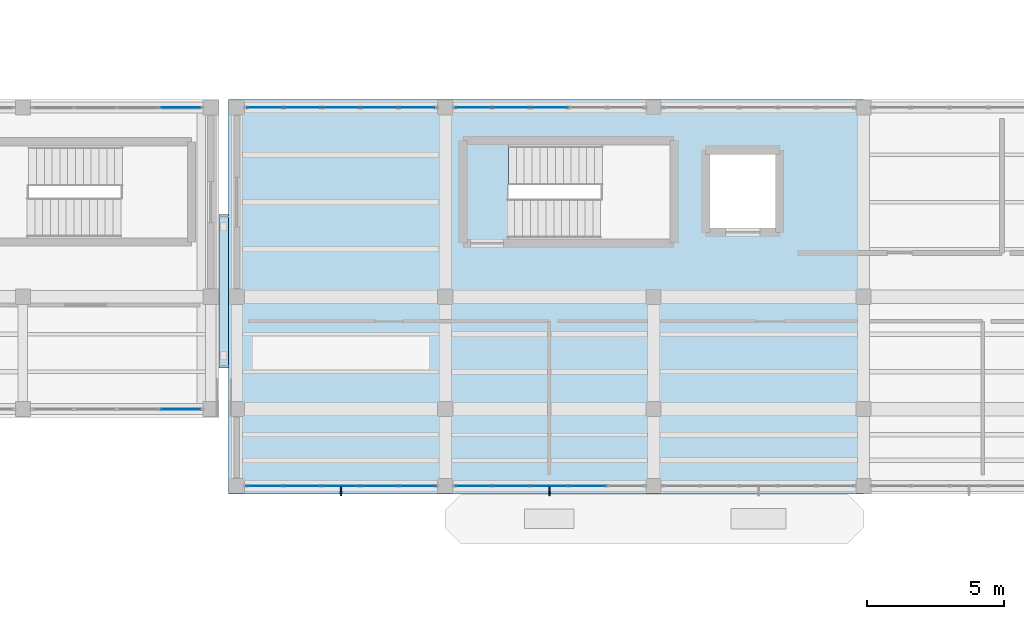
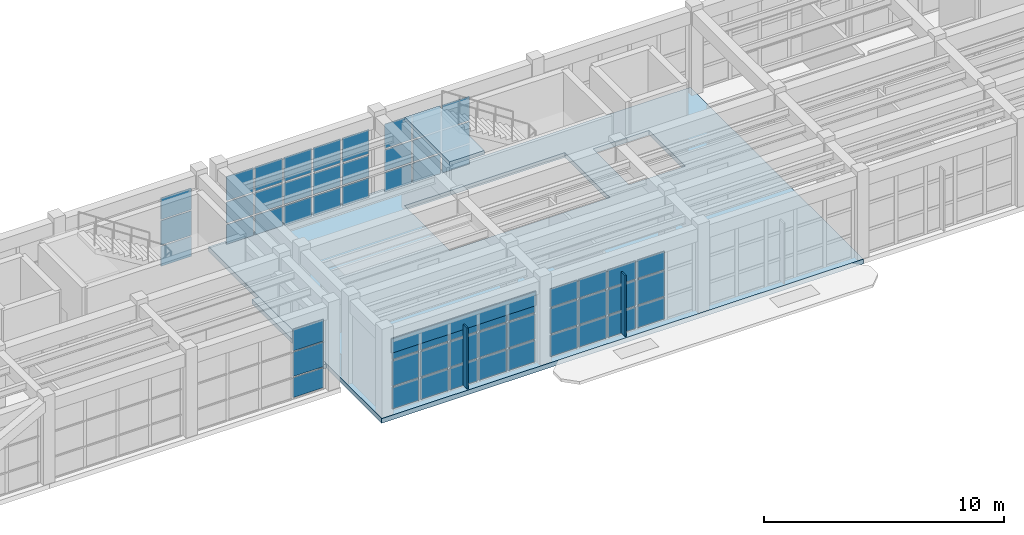
# One storey, part 55 of 85: 60 plates, 3 slabs, 7 elements without a shape of their own.
"""IFC4 building model written with IfcOpenShell, lengths in metres."""

from ifc_helpers import new_model, si_unit, direction, frame, origin, origin_2d, place, context, subcontext, project, spatial, polyline, rectangle, outline, extrude, material, layer, layer_set, type_object, element, aggregate, save


model = new_model("IFC4")

# Units and contexts
model_context = context("Model", 3, precision=1e-05, world=origin(), true_north=direction((0.0, 1.0)))
body_context = subcontext(model_context, "Body", "Model", "MODEL_VIEW")
ifc_project = project(units=[si_unit("LENGTHUNIT", "METRE"), si_unit("AREAUNIT", "SQUARE_METRE"), si_unit("VOLUMEUNIT", "CUBIC_METRE"), si_unit("PLANEANGLEUNIT", "RADIAN"), si_unit("MASSUNIT", "GRAM", prefix="KILO")], contexts=[model_context])

# Site, building, storey
site_placement = place(None, origin())
site = spatial("IfcSite", under=ifc_project, at=site_placement, CompositionType="ELEMENT")
building_placement = place(site_placement, origin())
building = spatial("IfcBuilding", under=site, at=building_placement, Name="Candilejo Ridge Gondola Terminal", CompositionType="ELEMENT")
storey_placement = place(building_placement, frame((0.0, 0.0, 4.5)))
storey = spatial("IfcBuildingStorey", under=building, at=storey_placement, Name="L01", CompositionType="ELEMENT", Elevation=4.5)

# Curtain wall, plates
ifc_material_1 = material(Name="Anodised aluminium AA 6063-T6", Category="aluminium")
ifc_layer_1 = layer(ifc_material_1, 0.169921875)
ifc_layer_set_1 = layer_set([ifc_layer_1], Name="ARC-CW-DRUM-3400-625X359")
curtain_wall_type_1 = type_object("IfcCurtainWallType", Name="ARC-CW-DRUM-3400-625X359", PredefinedType="NOTDEFINED", material=ifc_layer_set_1)
curtain_wall_1_placement = place(storey_placement, origin())
curtain_wall_1 = element("IfcCurtainWall", 1, at=curtain_wall_1_placement, inside=storey, type_object=curtain_wall_type_1, Name="Curtain wall V2 L01-044", PredefinedType="NOTDEFINED")
ifc_material_2 = material(Name="Low-E laminated double glazing 6+12A+6+1.52PVB+6 mm", Category="glass")
ifc_layer_2 = layer(ifc_material_2, 0.028076171875)
ifc_layer_set_2 = layer_set([ifc_layer_2], Name="ARC-CW-GLAZ-PANEL")
plate_type_1 = type_object("IfcPlateType", Name="ARC-CW-GLAZ-PANEL", PredefinedType="CURTAIN_PANEL", material=ifc_layer_set_2)
plate_1_placement = place(storey_placement, frame((84.952392578125, 36.699951171875, 0.06005859375), z_axis=(0.0, 0.0, 1.0), x_axis=(1.0, 0.0, 0.0)))
plate_1 = element("IfcPlate", 2, at=plate_1_placement, type_object=plate_type_1, Name="CW-62X35 panel 4.1", PredefinedType="CURTAIN_PANEL", context=body_context, shape_type="SweptSolid", body=[
    extrude(rectangle(XDim=1.465087890625, YDim=0.028076171875, at=origin_2d()), origin(), (0.0, 0.0, 1.0), 1.010009765625),
])
plate_2_placement = place(storey_placement, frame((84.952392578125, 36.699951171875, 1.1298828125), z_axis=(0.0, 0.0, 1.0), x_axis=(1.0, 0.0, 0.0)))
plate_2 = element("IfcPlate", 3, at=plate_2_placement, type_object=plate_type_1, Name="CW-62X35 panel 4.2", PredefinedType="CURTAIN_PANEL", context=body_context, shape_type="SweptSolid", body=[
    extrude(rectangle(XDim=1.465087890625, YDim=0.028076171875, at=origin_2d()), origin(), (0.0, 0.0, 1.0), 1.239990234375),
])
plate_3_placement = place(storey_placement, frame((84.952392578125, 36.699951171875, 2.429931640625), z_axis=(0.0, 0.0, 1.0), x_axis=(1.0, 0.0, 0.0)))
plate_3 = element("IfcPlate", 4, at=plate_3_placement, type_object=plate_type_1, Name="CW-62X35 panel 4.3", PredefinedType="CURTAIN_PANEL", context=body_context, shape_type="SweptSolid", body=[
    extrude(rectangle(XDim=1.465087890625, YDim=0.028076171875, at=origin_2d()), origin(), (0.0, 0.0, 1.0), 1.10009765625),
])
aggregate(curtain_wall_1, [plate_1, plate_2, plate_3])

curtain_wall_2_placement = place(storey_placement, origin())
curtain_wall_2 = element("IfcCurtainWall", 5, at=curtain_wall_2_placement, inside=storey, type_object=curtain_wall_type_1, Name="Curtain wall V2 L01-045", PredefinedType="NOTDEFINED")
plate_4_placement = place(storey_placement, frame((84.952392578125, 25.699951171875, 0.06005859375), z_axis=(0.0, 0.0, 1.0), x_axis=(1.0, 0.0, 0.0)))
plate_4 = element("IfcPlate", 6, at=plate_4_placement, type_object=plate_type_1, Name="CW-62X35 panel 4.1", PredefinedType="CURTAIN_PANEL", context=body_context, shape_type="SweptSolid", body=[
    extrude(rectangle(XDim=1.465087890625, YDim=0.028076171875, at=origin_2d()), origin(), (0.0, 0.0, 1.0), 1.010009765625),
])
plate_5_placement = place(storey_placement, frame((84.952392578125, 25.699951171875, 1.1298828125), z_axis=(0.0, 0.0, 1.0), x_axis=(1.0, 0.0, 0.0)))
plate_5 = element("IfcPlate", 7, at=plate_5_placement, type_object=plate_type_1, Name="CW-62X35 panel 4.2", PredefinedType="CURTAIN_PANEL", context=body_context, shape_type="SweptSolid", body=[
    extrude(rectangle(XDim=1.465087890625, YDim=0.028076171875, at=origin_2d()), origin(), (0.0, 0.0, 1.0), 1.239990234375),
])
plate_6_placement = place(storey_placement, frame((84.952392578125, 25.699951171875, 2.429931640625), z_axis=(0.0, 0.0, 1.0), x_axis=(1.0, 0.0, 0.0)))
plate_6 = element("IfcPlate", 8, at=plate_6_placement, type_object=plate_type_1, Name="CW-62X35 panel 4.3", PredefinedType="CURTAIN_PANEL", context=body_context, shape_type="SweptSolid", body=[
    extrude(rectangle(XDim=1.465087890625, YDim=0.028076171875, at=origin_2d()), origin(), (0.0, 0.0, 1.0), 1.10009765625),
])
aggregate(curtain_wall_2, [plate_4, plate_5, plate_6])

ifc_material_3 = material(Name="Anodised aluminium AA 6063-T6", Category="aluminium")
ifc_layer_3 = layer(ifc_material_3, 0.169921875)
ifc_layer_set_3 = layer_set([ifc_layer_3], Name="ARC-CW-GALLERY-3200-700X359")
curtain_wall_type_2 = type_object("IfcCurtainWallType", Name="ARC-CW-GALLERY-3200-700X359", PredefinedType="NOTDEFINED", material=ifc_layer_set_3)
curtain_wall_3_placement = place(storey_placement, origin())
curtain_wall_3 = element("IfcCurtainWall", 9, at=curtain_wall_3_placement, inside=storey, type_object=curtain_wall_type_2, Name="Curtain wall V3 L01-070", PredefinedType="NOTDEFINED")
plate_7_placement = place(storey_placement, frame((88.018798828125, 36.699951171875, 0.0751953125), z_axis=(0.0, 0.0, 1.0), x_axis=(1.0, 0.0, 0.0)))
plate_7 = element("IfcPlate", 10, at=plate_7_placement, type_object=plate_type_1, Name="CW-70X35 panel 1.1", PredefinedType="CURTAIN_PANEL", context=body_context, shape_type="SweptSolid", body=[
    extrude(rectangle(XDim=1.28759765625, YDim=0.028076171875, at=origin_2d()), origin(), (0.0, 0.0, 1.0), 0.987548828125),
])
plate_8_placement = place(storey_placement, frame((88.018798828125, 36.699951171875, 1.1376953125), z_axis=(0.0, 0.0, 1.0), x_axis=(1.0, 0.0, 0.0)))
plate_8 = element("IfcPlate", 11, at=plate_8_placement, type_object=plate_type_1, Name="CW-70X35 panel 1.2", PredefinedType="CURTAIN_PANEL", context=body_context, shape_type="SweptSolid", body=[
    extrude(rectangle(XDim=1.28759765625, YDim=0.028076171875, at=origin_2d()), origin(), (0.0, 0.0, 1.0), 1.074951171875),
])
plate_9_placement = place(storey_placement, frame((88.018798828125, 36.699951171875, 2.28759765625), z_axis=(0.0, 0.0, 1.0), x_axis=(1.0, 0.0, 0.0)))
plate_9 = element("IfcPlate", 12, at=plate_9_placement, type_object=plate_type_1, Name="CW-70X35 panel 1.3", PredefinedType="CURTAIN_PANEL", context=body_context, shape_type="SweptSolid", body=[
    extrude(rectangle(XDim=1.28759765625, YDim=0.028076171875, at=origin_2d()), origin(), (0.0, 0.0, 1.0), 1.2275390625),
])
plate_10_placement = place(storey_placement, frame((89.39990234375, 36.699951171875, 0.0751953125), z_axis=(0.0, 0.0, 1.0), x_axis=(1.0, 0.0, 0.0)))
plate_10 = element("IfcPlate", 13, at=plate_10_placement, type_object=plate_type_1, Name="CW-70X35 panel 2.1", PredefinedType="CURTAIN_PANEL", context=body_context, shape_type="SweptSolid", body=[
    extrude(rectangle(XDim=1.324951171875, YDim=0.028076171875, at=origin_2d()), origin(), (0.0, 0.0, 1.0), 0.987548828125),
])
plate_11_placement = place(storey_placement, frame((89.39990234375, 36.699951171875, 1.1376953125), z_axis=(0.0, 0.0, 1.0), x_axis=(1.0, 0.0, 0.0)))
plate_11 = element("IfcPlate", 14, at=plate_11_placement, type_object=plate_type_1, Name="CW-70X35 panel 2.2", PredefinedType="CURTAIN_PANEL", context=body_context, shape_type="SweptSolid", body=[
    extrude(rectangle(XDim=1.324951171875, YDim=0.028076171875, at=origin_2d()), origin(), (0.0, 0.0, 1.0), 1.074951171875),
])
plate_12_placement = place(storey_placement, frame((89.39990234375, 36.699951171875, 2.28759765625), z_axis=(0.0, 0.0, 1.0), x_axis=(1.0, 0.0, 0.0)))
plate_12 = element("IfcPlate", 15, at=plate_12_placement, type_object=plate_type_1, Name="CW-70X35 panel 2.3", PredefinedType="CURTAIN_PANEL", context=body_context, shape_type="SweptSolid", body=[
    extrude(rectangle(XDim=1.324951171875, YDim=0.028076171875, at=origin_2d()), origin(), (0.0, 0.0, 1.0), 1.2275390625),
])
plate_13_placement = place(storey_placement, frame((90.800048828125, 36.699951171875, 0.0751953125), z_axis=(0.0, 0.0, 1.0), x_axis=(1.0, 0.0, 0.0)))
plate_13 = element("IfcPlate", 16, at=plate_13_placement, type_object=plate_type_1, Name="CW-70X35 panel 3.1", PredefinedType="CURTAIN_PANEL", context=body_context, shape_type="SweptSolid", body=[
    extrude(rectangle(XDim=1.324951171875, YDim=0.028076171875, at=origin_2d()), origin(), (0.0, 0.0, 1.0), 0.987548828125),
])
plate_14_placement = place(storey_placement, frame((90.800048828125, 36.699951171875, 1.1376953125), z_axis=(0.0, 0.0, 1.0), x_axis=(1.0, 0.0, 0.0)))
plate_14 = element("IfcPlate", 17, at=plate_14_placement, type_object=plate_type_1, Name="CW-70X35 panel 3.2", PredefinedType="CURTAIN_PANEL", context=body_context, shape_type="SweptSolid", body=[
    extrude(rectangle(XDim=1.324951171875, YDim=0.028076171875, at=origin_2d()), origin(), (0.0, 0.0, 1.0), 1.074951171875),
])
plate_15_placement = place(storey_placement, frame((90.800048828125, 36.699951171875, 2.28759765625), z_axis=(0.0, 0.0, 1.0), x_axis=(1.0, 0.0, 0.0)))
plate_15 = element("IfcPlate", 18, at=plate_15_placement, type_object=plate_type_1, Name="CW-70X35 panel 3.3", PredefinedType="CURTAIN_PANEL", context=body_context, shape_type="SweptSolid", body=[
    extrude(rectangle(XDim=1.324951171875, YDim=0.028076171875, at=origin_2d()), origin(), (0.0, 0.0, 1.0), 1.2275390625),
])
plate_16_placement = place(storey_placement, frame((92.199951171875, 36.699951171875, 0.0751953125), z_axis=(0.0, 0.0, 1.0), x_axis=(1.0, 0.0, 0.0)))
plate_16 = element("IfcPlate", 19, at=plate_16_placement, type_object=plate_type_1, Name="CW-70X35 panel 4.1", PredefinedType="CURTAIN_PANEL", context=body_context, shape_type="SweptSolid", body=[
    extrude(rectangle(XDim=1.324951171875, YDim=0.028076171875, at=origin_2d()), origin(), (0.0, 0.0, 1.0), 0.987548828125),
])
plate_17_placement = place(storey_placement, frame((92.199951171875, 36.699951171875, 1.1376953125), z_axis=(0.0, 0.0, 1.0), x_axis=(1.0, 0.0, 0.0)))
plate_17 = element("IfcPlate", 20, at=plate_17_placement, type_object=plate_type_1, Name="CW-70X35 panel 4.2", PredefinedType="CURTAIN_PANEL", context=body_context, shape_type="SweptSolid", body=[
    extrude(rectangle(XDim=1.324951171875, YDim=0.028076171875, at=origin_2d()), origin(), (0.0, 0.0, 1.0), 1.074951171875),
])
plate_18_placement = place(storey_placement, frame((92.199951171875, 36.699951171875, 2.28759765625), z_axis=(0.0, 0.0, 1.0), x_axis=(1.0, 0.0, 0.0)))
plate_18 = element("IfcPlate", 21, at=plate_18_placement, type_object=plate_type_1, Name="CW-70X35 panel 4.3", PredefinedType="CURTAIN_PANEL", context=body_context, shape_type="SweptSolid", body=[
    extrude(rectangle(XDim=1.324951171875, YDim=0.028076171875, at=origin_2d()), origin(), (0.0, 0.0, 1.0), 1.2275390625),
])
plate_19_placement = place(storey_placement, frame((93.581298828125, 36.699951171875, 0.0751953125), z_axis=(0.0, 0.0, 1.0), x_axis=(1.0, 0.0, 0.0)))
plate_19 = element("IfcPlate", 22, at=plate_19_placement, type_object=plate_type_1, Name="CW-70X35 panel 5.1", PredefinedType="CURTAIN_PANEL", context=body_context, shape_type="SweptSolid", body=[
    extrude(rectangle(XDim=1.28759765625, YDim=0.028076171875, at=origin_2d()), origin(), (0.0, 0.0, 1.0), 0.987548828125),
])
plate_20_placement = place(storey_placement, frame((93.581298828125, 36.699951171875, 1.1376953125), z_axis=(0.0, 0.0, 1.0), x_axis=(1.0, 0.0, 0.0)))
plate_20 = element("IfcPlate", 23, at=plate_20_placement, type_object=plate_type_1, Name="CW-70X35 panel 5.2", PredefinedType="CURTAIN_PANEL", context=body_context, shape_type="SweptSolid", body=[
    extrude(rectangle(XDim=1.28759765625, YDim=0.028076171875, at=origin_2d()), origin(), (0.0, 0.0, 1.0), 1.074951171875),
])
plate_21_placement = place(storey_placement, frame((93.581298828125, 36.699951171875, 2.28759765625), z_axis=(0.0, 0.0, 1.0), x_axis=(1.0, 0.0, 0.0)))
plate_21 = element("IfcPlate", 24, at=plate_21_placement, type_object=plate_type_1, Name="CW-70X35 panel 5.3", PredefinedType="CURTAIN_PANEL", context=body_context, shape_type="SweptSolid", body=[
    extrude(rectangle(XDim=1.28759765625, YDim=0.028076171875, at=origin_2d()), origin(), (0.0, 0.0, 1.0), 1.2275390625),
])
aggregate(curtain_wall_3, [plate_7, plate_8, plate_9, plate_10, plate_11, plate_12, plate_13, plate_14, plate_15, plate_16, plate_17, plate_18, plate_19, plate_20, plate_21])

ifc_material_4 = material(Name="Anodised aluminium AA 6063-T6", Category="aluminium")
ifc_layer_4 = layer(ifc_material_4, 0.169921875)
ifc_layer_set_4 = layer_set([ifc_layer_4], Name="ARC-CW-CONCOURSE-3600-700X359")
curtain_wall_type_3 = type_object("IfcCurtainWallType", Name="ARC-CW-CONCOURSE-3600-700X359", PredefinedType="NOTDEFINED", material=ifc_layer_set_4)
curtain_wall_4_placement = place(storey_placement, origin())
curtain_wall_4 = element("IfcCurtainWall", 25, at=curtain_wall_4_placement, inside=storey, type_object=curtain_wall_type_3, Name="Curtain wall V3 L01-071", PredefinedType="NOTDEFINED")
plate_22_placement = place(storey_placement, frame((88.018798828125, 22.89990234375, 0.074951171875), z_axis=(0.0, 0.0, 1.0), x_axis=(1.0, 0.0, 0.0)))
plate_22 = element("IfcPlate", 26, at=plate_22_placement, type_object=plate_type_1, Name="CW-70X35 panel 1.1", PredefinedType="CURTAIN_PANEL", context=body_context, shape_type="SweptSolid", body=[
    extrude(rectangle(XDim=1.28759765625, YDim=0.028076171875, at=origin_2d()), origin(), (0.0, 0.0, 1.0), 1.08740234375),
])
plate_23_placement = place(storey_placement, frame((88.018798828125, 22.89990234375, 1.237548828125), z_axis=(0.0, 0.0, 1.0), x_axis=(1.0, 0.0, 0.0)))
plate_23 = element("IfcPlate", 27, at=plate_23_placement, type_object=plate_type_1, Name="CW-70X35 panel 1.2", PredefinedType="CURTAIN_PANEL", context=body_context, shape_type="SweptSolid", body=[
    extrude(rectangle(XDim=1.28759765625, YDim=0.028076171875, at=origin_2d()), origin(), (0.0, 0.0, 1.0), 1.27490234375),
])
plate_24_placement = place(storey_placement, frame((88.018798828125, 22.89990234375, 2.58740234375), z_axis=(0.0, 0.0, 1.0), x_axis=(1.0, 0.0, 0.0)))
plate_24 = element("IfcPlate", 28, at=plate_24_placement, type_object=plate_type_1, Name="CW-70X35 panel 1.3", PredefinedType="CURTAIN_PANEL", context=body_context, shape_type="SweptSolid", body=[
    extrude(rectangle(XDim=1.28759765625, YDim=0.028076171875, at=origin_2d()), origin(), (0.0, 0.0, 1.0), 0.927490234375),
])
plate_25_placement = place(storey_placement, frame((89.39990234375, 22.89990234375, 0.074951171875), z_axis=(0.0, 0.0, 1.0), x_axis=(1.0, 0.0, 0.0)))
plate_25 = element("IfcPlate", 29, at=plate_25_placement, type_object=plate_type_1, Name="CW-70X35 panel 2.1", PredefinedType="CURTAIN_PANEL", context=body_context, shape_type="SweptSolid", body=[
    extrude(rectangle(XDim=1.324951171875, YDim=0.028076171875, at=origin_2d()), origin(), (0.0, 0.0, 1.0), 1.08740234375),
])
plate_26_placement = place(storey_placement, frame((89.39990234375, 22.89990234375, 1.237548828125), z_axis=(0.0, 0.0, 1.0), x_axis=(1.0, 0.0, 0.0)))
plate_26 = element("IfcPlate", 30, at=plate_26_placement, type_object=plate_type_1, Name="CW-70X35 panel 2.2", PredefinedType="CURTAIN_PANEL", context=body_context, shape_type="SweptSolid", body=[
    extrude(rectangle(XDim=1.324951171875, YDim=0.028076171875, at=origin_2d()), origin(), (0.0, 0.0, 1.0), 1.27490234375),
])
plate_27_placement = place(storey_placement, frame((89.39990234375, 22.89990234375, 2.58740234375), z_axis=(0.0, 0.0, 1.0), x_axis=(1.0, 0.0, 0.0)))
plate_27 = element("IfcPlate", 31, at=plate_27_placement, type_object=plate_type_1, Name="CW-70X35 panel 2.3", PredefinedType="CURTAIN_PANEL", context=body_context, shape_type="SweptSolid", body=[
    extrude(rectangle(XDim=1.324951171875, YDim=0.028076171875, at=origin_2d()), origin(), (0.0, 0.0, 1.0), 0.927490234375),
])
plate_28_placement = place(storey_placement, frame((90.800048828125, 22.89990234375, 0.074951171875), z_axis=(0.0, 0.0, 1.0), x_axis=(1.0, 0.0, 0.0)))
plate_28 = element("IfcPlate", 32, at=plate_28_placement, type_object=plate_type_1, Name="CW-70X35 panel 3.1", PredefinedType="CURTAIN_PANEL", context=body_context, shape_type="SweptSolid", body=[
    extrude(rectangle(XDim=1.324951171875, YDim=0.028076171875, at=origin_2d()), origin(), (0.0, 0.0, 1.0), 1.08740234375),
])
plate_29_placement = place(storey_placement, frame((90.800048828125, 22.89990234375, 1.237548828125), z_axis=(0.0, 0.0, 1.0), x_axis=(1.0, 0.0, 0.0)))
plate_29 = element("IfcPlate", 33, at=plate_29_placement, type_object=plate_type_1, Name="CW-70X35 panel 3.2", PredefinedType="CURTAIN_PANEL", context=body_context, shape_type="SweptSolid", body=[
    extrude(rectangle(XDim=1.324951171875, YDim=0.028076171875, at=origin_2d()), origin(), (0.0, 0.0, 1.0), 1.27490234375),
])
plate_30_placement = place(storey_placement, frame((90.800048828125, 22.89990234375, 2.58740234375), z_axis=(0.0, 0.0, 1.0), x_axis=(1.0, 0.0, 0.0)))
plate_30 = element("IfcPlate", 34, at=plate_30_placement, type_object=plate_type_1, Name="CW-70X35 panel 3.3", PredefinedType="CURTAIN_PANEL", context=body_context, shape_type="SweptSolid", body=[
    extrude(rectangle(XDim=1.324951171875, YDim=0.028076171875, at=origin_2d()), origin(), (0.0, 0.0, 1.0), 0.927490234375),
])
plate_31_placement = place(storey_placement, frame((92.199951171875, 22.89990234375, 0.074951171875), z_axis=(0.0, 0.0, 1.0), x_axis=(1.0, 0.0, 0.0)))
plate_31 = element("IfcPlate", 35, at=plate_31_placement, type_object=plate_type_1, Name="CW-70X35 panel 4.1", PredefinedType="CURTAIN_PANEL", context=body_context, shape_type="SweptSolid", body=[
    extrude(rectangle(XDim=1.324951171875, YDim=0.028076171875, at=origin_2d()), origin(), (0.0, 0.0, 1.0), 1.08740234375),
])
plate_32_placement = place(storey_placement, frame((92.199951171875, 22.89990234375, 1.237548828125), z_axis=(0.0, 0.0, 1.0), x_axis=(1.0, 0.0, 0.0)))
plate_32 = element("IfcPlate", 36, at=plate_32_placement, type_object=plate_type_1, Name="CW-70X35 panel 4.2", PredefinedType="CURTAIN_PANEL", context=body_context, shape_type="SweptSolid", body=[
    extrude(rectangle(XDim=1.324951171875, YDim=0.028076171875, at=origin_2d()), origin(), (0.0, 0.0, 1.0), 1.27490234375),
])
plate_33_placement = place(storey_placement, frame((92.199951171875, 22.89990234375, 2.58740234375), z_axis=(0.0, 0.0, 1.0), x_axis=(1.0, 0.0, 0.0)))
plate_33 = element("IfcPlate", 37, at=plate_33_placement, type_object=plate_type_1, Name="CW-70X35 panel 4.3", PredefinedType="CURTAIN_PANEL", context=body_context, shape_type="SweptSolid", body=[
    extrude(rectangle(XDim=1.324951171875, YDim=0.028076171875, at=origin_2d()), origin(), (0.0, 0.0, 1.0), 0.927490234375),
])
plate_34_placement = place(storey_placement, frame((93.581298828125, 22.89990234375, 0.074951171875), z_axis=(0.0, 0.0, 1.0), x_axis=(1.0, 0.0, 0.0)))
plate_34 = element("IfcPlate", 38, at=plate_34_placement, type_object=plate_type_1, Name="CW-70X35 panel 5.1", PredefinedType="CURTAIN_PANEL", context=body_context, shape_type="SweptSolid", body=[
    extrude(rectangle(XDim=1.28759765625, YDim=0.028076171875, at=origin_2d()), origin(), (0.0, 0.0, 1.0), 1.08740234375),
])
plate_35_placement = place(storey_placement, frame((93.581298828125, 22.89990234375, 1.237548828125), z_axis=(0.0, 0.0, 1.0), x_axis=(1.0, 0.0, 0.0)))
plate_35 = element("IfcPlate", 39, at=plate_35_placement, type_object=plate_type_1, Name="CW-70X35 panel 5.2", PredefinedType="CURTAIN_PANEL", context=body_context, shape_type="SweptSolid", body=[
    extrude(rectangle(XDim=1.28759765625, YDim=0.028076171875, at=origin_2d()), origin(), (0.0, 0.0, 1.0), 1.27490234375),
])
plate_36_placement = place(storey_placement, frame((93.581298828125, 22.89990234375, 2.58740234375), z_axis=(0.0, 0.0, 1.0), x_axis=(1.0, 0.0, 0.0)))
plate_36 = element("IfcPlate", 40, at=plate_36_placement, type_object=plate_type_1, Name="CW-70X35 panel 5.3", PredefinedType="CURTAIN_PANEL", context=body_context, shape_type="SweptSolid", body=[
    extrude(rectangle(XDim=1.28759765625, YDim=0.028076171875, at=origin_2d()), origin(), (0.0, 0.0, 1.0), 0.927490234375),
])
aggregate(curtain_wall_4, [plate_22, plate_23, plate_24, plate_25, plate_26, plate_27, plate_28, plate_29, plate_30, plate_31, plate_32, plate_33, plate_34, plate_35, plate_36])

curtain_wall_5_placement = place(storey_placement, origin())
curtain_wall_5 = element("IfcCurtainWall", 41, at=curtain_wall_5_placement, inside=storey, type_object=curtain_wall_type_2, Name="Curtain wall V3 L01-072", PredefinedType="NOTDEFINED")
plate_37_placement = place(storey_placement, frame((95.61865234375, 36.699951171875, 0.0751953125), z_axis=(0.0, 0.0, 1.0), x_axis=(1.0, 0.0, 0.0)))
plate_37 = element("IfcPlate", 42, at=plate_37_placement, type_object=plate_type_1, Name="CW-70X35 panel 1.1", PredefinedType="CURTAIN_PANEL", context=body_context, shape_type="SweptSolid", body=[
    extrude(rectangle(XDim=1.28759765625, YDim=0.028076171875, at=origin_2d()), origin(), (0.0, 0.0, 1.0), 0.987548828125),
])
plate_38_placement = place(storey_placement, frame((95.61865234375, 36.699951171875, 1.1376953125), z_axis=(0.0, 0.0, 1.0), x_axis=(1.0, 0.0, 0.0)))
plate_38 = element("IfcPlate", 43, at=plate_38_placement, type_object=plate_type_1, Name="CW-70X35 panel 1.2", PredefinedType="CURTAIN_PANEL", context=body_context, shape_type="SweptSolid", body=[
    extrude(rectangle(XDim=1.28759765625, YDim=0.028076171875, at=origin_2d()), origin(), (0.0, 0.0, 1.0), 1.074951171875),
])
plate_39_placement = place(storey_placement, frame((95.61865234375, 36.699951171875, 2.28759765625), z_axis=(0.0, 0.0, 1.0), x_axis=(1.0, 0.0, 0.0)))
plate_39 = element("IfcPlate", 44, at=plate_39_placement, type_object=plate_type_1, Name="CW-70X35 panel 1.3", PredefinedType="CURTAIN_PANEL", context=body_context, shape_type="SweptSolid", body=[
    extrude(rectangle(XDim=1.28759765625, YDim=0.028076171875, at=origin_2d()), origin(), (0.0, 0.0, 1.0), 1.2275390625),
])
plate_40_placement = place(storey_placement, frame((97.0, 36.699951171875, 0.0751953125), z_axis=(0.0, 0.0, 1.0), x_axis=(1.0, 0.0, 0.0)))
plate_40 = element("IfcPlate", 45, at=plate_40_placement, type_object=plate_type_1, Name="CW-70X35 panel 2.1", PredefinedType="CURTAIN_PANEL", context=body_context, shape_type="SweptSolid", body=[
    extrude(rectangle(XDim=1.324951171875, YDim=0.028076171875, at=origin_2d()), origin(), (0.0, 0.0, 1.0), 0.987548828125),
])
plate_41_placement = place(storey_placement, frame((97.0, 36.699951171875, 1.1376953125), z_axis=(0.0, 0.0, 1.0), x_axis=(1.0, 0.0, 0.0)))
plate_41 = element("IfcPlate", 46, at=plate_41_placement, type_object=plate_type_1, Name="CW-70X35 panel 2.2", PredefinedType="CURTAIN_PANEL", context=body_context, shape_type="SweptSolid", body=[
    extrude(rectangle(XDim=1.324951171875, YDim=0.028076171875, at=origin_2d()), origin(), (0.0, 0.0, 1.0), 1.074951171875),
])
plate_42_placement = place(storey_placement, frame((97.0, 36.699951171875, 2.28759765625), z_axis=(0.0, 0.0, 1.0), x_axis=(1.0, 0.0, 0.0)))
plate_42 = element("IfcPlate", 47, at=plate_42_placement, type_object=plate_type_1, Name="CW-70X35 panel 2.3", PredefinedType="CURTAIN_PANEL", context=body_context, shape_type="SweptSolid", body=[
    extrude(rectangle(XDim=1.324951171875, YDim=0.028076171875, at=origin_2d()), origin(), (0.0, 0.0, 1.0), 1.2275390625),
])
plate_43_placement = place(storey_placement, frame((98.39990234375, 36.699951171875, 0.0751953125), z_axis=(0.0, 0.0, 1.0), x_axis=(1.0, 0.0, 0.0)))
plate_43 = element("IfcPlate", 48, at=plate_43_placement, type_object=plate_type_1, Name="CW-70X35 panel 3.1", PredefinedType="CURTAIN_PANEL", context=body_context, shape_type="SweptSolid", body=[
    extrude(rectangle(XDim=1.324951171875, YDim=0.028076171875, at=origin_2d()), origin(), (0.0, 0.0, 1.0), 0.987548828125),
])
plate_44_placement = place(storey_placement, frame((98.39990234375, 36.699951171875, 1.1376953125), z_axis=(0.0, 0.0, 1.0), x_axis=(1.0, 0.0, 0.0)))
plate_44 = element("IfcPlate", 49, at=plate_44_placement, type_object=plate_type_1, Name="CW-70X35 panel 3.2", PredefinedType="CURTAIN_PANEL", context=body_context, shape_type="SweptSolid", body=[
    extrude(rectangle(XDim=1.324951171875, YDim=0.028076171875, at=origin_2d()), origin(), (0.0, 0.0, 1.0), 1.074951171875),
])
plate_45_placement = place(storey_placement, frame((98.39990234375, 36.699951171875, 2.28759765625), z_axis=(0.0, 0.0, 1.0), x_axis=(1.0, 0.0, 0.0)))
plate_45 = element("IfcPlate", 50, at=plate_45_placement, type_object=plate_type_1, Name="CW-70X35 panel 3.3", PredefinedType="CURTAIN_PANEL", context=body_context, shape_type="SweptSolid", body=[
    extrude(rectangle(XDim=1.324951171875, YDim=0.028076171875, at=origin_2d()), origin(), (0.0, 0.0, 1.0), 1.2275390625),
])
aggregate(curtain_wall_5, [plate_37, plate_38, plate_39, plate_40, plate_41, plate_42, plate_43, plate_44, plate_45])

curtain_wall_6_placement = place(storey_placement, origin())
curtain_wall_6 = element("IfcCurtainWall", 51, at=curtain_wall_6_placement, inside=storey, type_object=curtain_wall_type_3, Name="Curtain wall V3 L01-073", PredefinedType="NOTDEFINED")
plate_46_placement = place(storey_placement, frame((95.61865234375, 22.89990234375, 0.074951171875), z_axis=(0.0, 0.0, 1.0), x_axis=(1.0, 0.0, 0.0)))
plate_46 = element("IfcPlate", 52, at=plate_46_placement, type_object=plate_type_1, Name="CW-70X35 panel 1.1", PredefinedType="CURTAIN_PANEL", context=body_context, shape_type="SweptSolid", body=[
    extrude(rectangle(XDim=1.28759765625, YDim=0.028076171875, at=origin_2d()), origin(), (0.0, 0.0, 1.0), 1.08740234375),
])
plate_47_placement = place(storey_placement, frame((95.61865234375, 22.89990234375, 1.237548828125), z_axis=(0.0, 0.0, 1.0), x_axis=(1.0, 0.0, 0.0)))
plate_47 = element("IfcPlate", 53, at=plate_47_placement, type_object=plate_type_1, Name="CW-70X35 panel 1.2", PredefinedType="CURTAIN_PANEL", context=body_context, shape_type="SweptSolid", body=[
    extrude(rectangle(XDim=1.28759765625, YDim=0.028076171875, at=origin_2d()), origin(), (0.0, 0.0, 1.0), 1.27490234375),
])
plate_48_placement = place(storey_placement, frame((95.61865234375, 22.89990234375, 2.58740234375), z_axis=(0.0, 0.0, 1.0), x_axis=(1.0, 0.0, 0.0)))
plate_48 = element("IfcPlate", 54, at=plate_48_placement, type_object=plate_type_1, Name="CW-70X35 panel 1.3", PredefinedType="CURTAIN_PANEL", context=body_context, shape_type="SweptSolid", body=[
    extrude(rectangle(XDim=1.28759765625, YDim=0.028076171875, at=origin_2d()), origin(), (0.0, 0.0, 1.0), 0.927490234375),
])
plate_49_placement = place(storey_placement, frame((97.0, 22.89990234375, 0.074951171875), z_axis=(0.0, 0.0, 1.0), x_axis=(1.0, 0.0, 0.0)))
plate_49 = element("IfcPlate", 55, at=plate_49_placement, type_object=plate_type_1, Name="CW-70X35 panel 2.1", PredefinedType="CURTAIN_PANEL", context=body_context, shape_type="SweptSolid", body=[
    extrude(rectangle(XDim=1.324951171875, YDim=0.028076171875, at=origin_2d()), origin(), (0.0, 0.0, 1.0), 1.08740234375),
])
plate_50_placement = place(storey_placement, frame((97.0, 22.89990234375, 1.237548828125), z_axis=(0.0, 0.0, 1.0), x_axis=(1.0, 0.0, 0.0)))
plate_50 = element("IfcPlate", 56, at=plate_50_placement, type_object=plate_type_1, Name="CW-70X35 panel 2.2", PredefinedType="CURTAIN_PANEL", context=body_context, shape_type="SweptSolid", body=[
    extrude(rectangle(XDim=1.324951171875, YDim=0.028076171875, at=origin_2d()), origin(), (0.0, 0.0, 1.0), 1.27490234375),
])
plate_51_placement = place(storey_placement, frame((97.0, 22.89990234375, 2.58740234375), z_axis=(0.0, 0.0, 1.0), x_axis=(1.0, 0.0, 0.0)))
plate_51 = element("IfcPlate", 57, at=plate_51_placement, type_object=plate_type_1, Name="CW-70X35 panel 2.3", PredefinedType="CURTAIN_PANEL", context=body_context, shape_type="SweptSolid", body=[
    extrude(rectangle(XDim=1.324951171875, YDim=0.028076171875, at=origin_2d()), origin(), (0.0, 0.0, 1.0), 0.927490234375),
])
plate_52_placement = place(storey_placement, frame((98.39990234375, 22.89990234375, 0.074951171875), z_axis=(0.0, 0.0, 1.0), x_axis=(1.0, 0.0, 0.0)))
plate_52 = element("IfcPlate", 58, at=plate_52_placement, type_object=plate_type_1, Name="CW-70X35 panel 3.1", PredefinedType="CURTAIN_PANEL", context=body_context, shape_type="SweptSolid", body=[
    extrude(rectangle(XDim=1.324951171875, YDim=0.028076171875, at=origin_2d()), origin(), (0.0, 0.0, 1.0), 1.08740234375),
])
plate_53_placement = place(storey_placement, frame((98.39990234375, 22.89990234375, 1.237548828125), z_axis=(0.0, 0.0, 1.0), x_axis=(1.0, 0.0, 0.0)))
plate_53 = element("IfcPlate", 59, at=plate_53_placement, type_object=plate_type_1, Name="CW-70X35 panel 3.2", PredefinedType="CURTAIN_PANEL", context=body_context, shape_type="SweptSolid", body=[
    extrude(rectangle(XDim=1.324951171875, YDim=0.028076171875, at=origin_2d()), origin(), (0.0, 0.0, 1.0), 1.27490234375),
])
plate_54_placement = place(storey_placement, frame((98.39990234375, 22.89990234375, 2.58740234375), z_axis=(0.0, 0.0, 1.0), x_axis=(1.0, 0.0, 0.0)))
plate_54 = element("IfcPlate", 60, at=plate_54_placement, type_object=plate_type_1, Name="CW-70X35 panel 3.3", PredefinedType="CURTAIN_PANEL", context=body_context, shape_type="SweptSolid", body=[
    extrude(rectangle(XDim=1.324951171875, YDim=0.028076171875, at=origin_2d()), origin(), (0.0, 0.0, 1.0), 0.927490234375),
])
plate_55_placement = place(storey_placement, frame((99.800048828125, 22.89990234375, 0.074951171875), z_axis=(0.0, 0.0, 1.0), x_axis=(1.0, 0.0, 0.0)))
plate_55 = element("IfcPlate", 61, at=plate_55_placement, type_object=plate_type_1, Name="CW-70X35 panel 4.1", PredefinedType="CURTAIN_PANEL", context=body_context, shape_type="SweptSolid", body=[
    extrude(rectangle(XDim=1.324951171875, YDim=0.028076171875, at=origin_2d()), origin(), (0.0, 0.0, 1.0), 1.08740234375),
])
plate_56_placement = place(storey_placement, frame((99.800048828125, 22.89990234375, 1.237548828125), z_axis=(0.0, 0.0, 1.0), x_axis=(1.0, 0.0, 0.0)))
plate_56 = element("IfcPlate", 62, at=plate_56_placement, type_object=plate_type_1, Name="CW-70X35 panel 4.2", PredefinedType="CURTAIN_PANEL", context=body_context, shape_type="SweptSolid", body=[
    extrude(rectangle(XDim=1.324951171875, YDim=0.028076171875, at=origin_2d()), origin(), (0.0, 0.0, 1.0), 1.27490234375),
])
plate_57_placement = place(storey_placement, frame((99.800048828125, 22.89990234375, 2.58740234375), z_axis=(0.0, 0.0, 1.0), x_axis=(1.0, 0.0, 0.0)))
plate_57 = element("IfcPlate", 63, at=plate_57_placement, type_object=plate_type_1, Name="CW-70X35 panel 4.3", PredefinedType="CURTAIN_PANEL", context=body_context, shape_type="SweptSolid", body=[
    extrude(rectangle(XDim=1.324951171875, YDim=0.028076171875, at=origin_2d()), origin(), (0.0, 0.0, 1.0), 0.927490234375),
])
aggregate(curtain_wall_6, [plate_46, plate_47, plate_48, plate_49, plate_50, plate_51, plate_52, plate_53, plate_54, plate_55, plate_56, plate_57])

# Plates
ifc_material_5 = material(Name="Extruded architectural terracotta fin", Category="masonry")
plate_type_2 = type_object("IfcPlateType", Name="ARC-SOLAR-FIN-340", PredefinedType="USERDEFINED", material=ifc_material_5)
for number, where, z_axis, x_axis, name in (
    (64, (90.800048828125, 22.716064453125, 0.099853515625), (0.0, 0.0, 1.0), (1.0, 0.0, 0.0), "Terracotta solar fin V3-18"),
    (65, (98.39990234375, 22.716064453125, 0.099853515625), (0.0, 0.0, 1.0), (1.0, 0.0, 0.0), "Terracotta solar fin V3-19"),
):
    element("IfcPlate", number, at=place(storey_placement, frame(where, z_axis=z_axis, x_axis=x_axis)), inside=storey, type_object=plate_type_2, Name=name, ObjectType="SOLAR FIN", PredefinedType="USERDEFINED", context=body_context, shape_type="SweptSolid", body=[
        extrude(rectangle(XDim=0.06494140625, YDim=0.340087890625, at=origin_2d()), origin(), (0.0, 0.0, 1.0), 3.10009765625),
    ])
ifc_material_6 = material(Name="Insulated aluminium spandrel panel 60 mm", Category="aluminium")
ifc_layer_5 = layer(ifc_material_6, 0.06005859375)
ifc_layer_set_5 = layer_set([ifc_layer_5], Name="ARC-SPANDREL-V3-L01")
plate_type_3 = type_object("IfcPlateType", Name="ARC-SPANDREL-V3-L01", PredefinedType="SHEET", material=ifc_layer_set_5)
plate_58_placement = place(storey_placement, frame((90.800048828125, 22.89990234375, 2.93017578125), z_axis=(0.0, 0.0, 1.0), x_axis=(1.0, 0.0, 0.0)))
element("IfcPlate", 66, at=plate_58_placement, inside=storey, type_object=plate_type_3, Name="Spandrel band SP-31", PredefinedType="SHEET", context=body_context, shape_type="SweptSolid", body=[
    extrude(rectangle(XDim=6.949951171875, YDim=0.06005859375, at=origin_2d()), origin(), (0.0, 0.0, 1.0), 0.719970703125),
])

# Slabs
ifc_material_7 = material(Name="Concrete f'c 35 MPa (C35/45)", Category="concrete")
ifc_layer_6 = layer(ifc_material_7, 0.219970703125)
ifc_layer_set_6 = layer_set([ifc_layer_6], Name="STR-BRIDGE-SLAB-220")
slab_type_1 = type_object("IfcSlabType", Name="STR-BRIDGE-SLAB-220", PredefinedType="FLOOR", material=ifc_layer_set_6)
slab_1_placement = place(storey_placement, frame((0.0, 0.0, -0.219970703125)))
element("IfcSlab", 67, at=slab_1_placement, inside=storey, type_object=slab_type_1, Name="Slab SLB-LB-SJ2-L01", PredefinedType="FLOOR", context=body_context, shape_type="SweptSolid", body=[
    extrude(outline(polyline([(86.35009765625, 27.199951171875), (86.699951171875, 27.199951171875), (86.699951171875, 32.800048828125), (86.35009765625, 32.800048828125), (86.35009765625, 27.199951171875)])), origin(), (0.0, 0.0, 1.0), 0.219970703125),
])
ifc_material_8 = material(Name="Concrete f'c 35 MPa (C35/45)", Category="concrete")
ifc_layer_7 = layer(ifc_material_8, 0.239990234375)
ifc_layer_set_7 = layer_set([ifc_layer_7], Name="STR-FLOOR-SLAB-240")
slab_type_2 = type_object("IfcSlabType", Name="STR-FLOOR-SLAB-240", PredefinedType="FLOOR", material=ifc_layer_set_7)
slab_2_placement = place(storey_placement, frame((0.0, 0.0, -0.239990234375)))
element("IfcSlab", 68, at=slab_2_placement, inside=storey, type_object=slab_type_2, Name="Slab SLB-V3-L01-W", PredefinedType="FLOOR", context=body_context, shape_type="SweptSolid", body=[
    extrude(outline(polyline([(86.699951171875, 22.60009765625), (109.85009765625, 22.60009765625), (109.85009765625, 37.0), (86.699951171875, 37.0), (86.699951171875, 22.60009765625)]), holes=[polyline([(95.25, 31.75), (102.949951171875, 31.75), (102.949951171875, 35.5), (95.25, 35.5), (95.25, 31.75)]), polyline([(104.10009765625, 32.14990234375), (106.800048828125, 32.14990234375), (106.800048828125, 35.14990234375), (104.10009765625, 35.14990234375), (104.10009765625, 32.14990234375)])]), origin(), (0.0, 0.0, 1.0), 0.239990234375),
])

# Stair, slab
ifc_material_9 = material(Name="Concrete f'c 35 MPa (C35/45)", Category="concrete")
stair_type = type_object("IfcStairType", Name="STR-STAIR-1450-4500", PredefinedType="HALF_TURN_STAIR", material=ifc_material_9)
stair_placement = place(storey_placement, origin())
stair = element("IfcStair", 69, at=stair_placement, inside=storey, type_object=stair_type, Name="Enclosed fire exit stair ST-V3A-L01", PredefinedType="HALF_TURN_STAIR")
ifc_material_10 = material(Name="Concrete f'c 35 MPa (C35/45)", Category="concrete")
ifc_layer_8 = layer(ifc_material_10, 0.199951171875)
ifc_layer_set_8 = layer_set([ifc_layer_8], Name="STR-STAIR-LANDING-200")
slab_type_3 = type_object("IfcSlabType", Name="STR-STAIR-LANDING-200", PredefinedType="LANDING", material=ifc_layer_set_8)
slab_3_placement = place(storey_placement, frame((0.0, 0.0, 4.300048828125)))
slab_3 = element("IfcSlab", 70, at=slab_3_placement, type_object=slab_type_3, Name="Stair floor landing ST-V3A-L01-ARR-L02", PredefinedType="LANDING", context=body_context, shape_type="SweptSolid", body=[
    extrude(outline(polyline([(95.25, 31.75), (96.909912109375, 31.75), (96.909912109375, 35.5), (95.25, 35.5), (95.25, 31.75)])), origin(), (0.0, 0.0, 1.0), 0.199951171875),
])
aggregate(stair, [slab_3])

save(model, "model.ifc")
